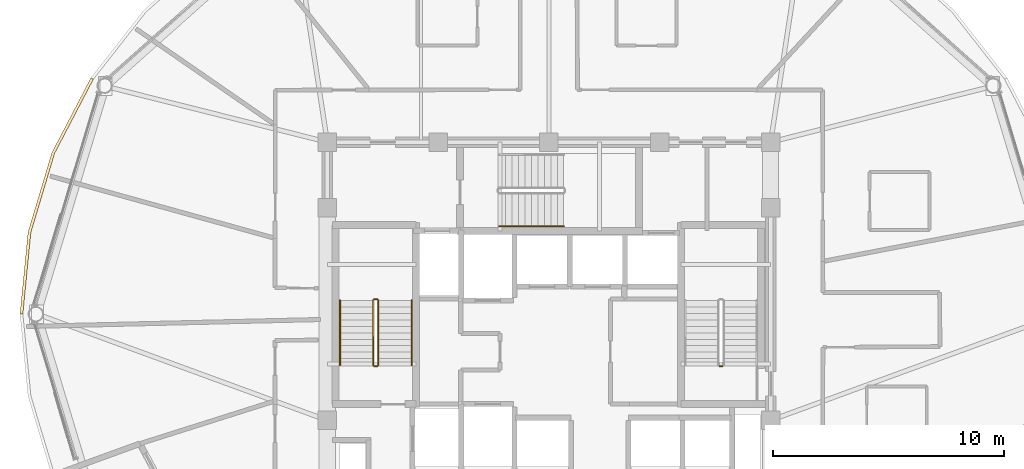
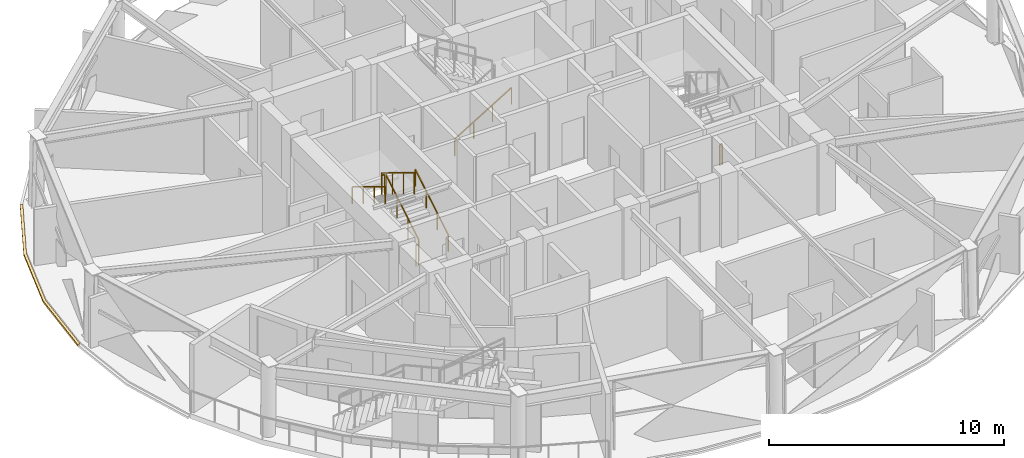
# One storey, part 15 of 17: 8 railings, 1 covering.
"""IFC4 building model written with IfcOpenShell, lengths in metres."""

from ifc_helpers import new_model, si_unit, direction, frame, origin, origin_2d, place, context, subcontext, project, spatial, polyline, rectangle, outline, extrude, material, layer, layer_set, type_object, element, save


model = new_model("IFC4")

# Units and contexts
model_context = context("Model", 3, precision=1e-05, world=origin(), true_north=direction((0.0, 1.0)))
body_context = subcontext(model_context, "Body", "Model", "MODEL_VIEW")
ifc_project = project(units=[si_unit("LENGTHUNIT", "METRE"), si_unit("AREAUNIT", "SQUARE_METRE"), si_unit("VOLUMEUNIT", "CUBIC_METRE"), si_unit("PLANEANGLEUNIT", "RADIAN"), si_unit("MASSUNIT", "GRAM", prefix="KILO")], contexts=[model_context])

# Site, building, storey
site_placement = place(None, origin())
site = spatial("IfcSite", under=ifc_project, at=site_placement, CompositionType="ELEMENT")
building_placement = place(site_placement, origin())
building = spatial("IfcBuilding", under=site, at=building_placement, Name="Vantalir Tower", CompositionType="ELEMENT")
storey_placement = place(building_placement, frame((0.0, 0.0, 208.64990234375)))
storey = spatial("IfcBuildingStorey", under=building, at=storey_placement, Name="L52", CompositionType="ELEMENT", Elevation=208.64990234375)

# Covering
ifc_material_1 = material(Name="Anodised champagne aluminium sill fascia", Category="aluminium")
ifc_layer = layer(ifc_material_1, 0.125)
ifc_layer_set = layer_set([ifc_layer], Name="Anodised champagne aluminium sill fascia")
covering_type = type_object("IfcCoveringType", Name="COV-SLAB-FASCIA-125", PredefinedType="CLADDING", material=ifc_layer_set)
covering_placement = place(storey_placement, frame((0.0, 0.0, -0.179931640625)))
element("IfcCovering", 1, at=covering_placement, inside=storey, type_object=covering_type, Name="L52 Perimeter Slab-Edge Sill Fascia 06", PredefinedType="CLADDING", context=body_context, shape_type="SweptSolid", body=[
    extrude(outline(polyline([(11.659912109375, 35.23388671875), (9.972900390625, 32.0), (8.93896484375, 28.553955078125), (8.591064453125, 25.0), (8.716064453125, 25.0), (9.06201171875, 28.532958984375), (10.090087890625, 31.9580078125), (11.76806640625, 35.1708984375), (11.659912109375, 35.23388671875)])), origin(), (0.0, 0.0, 1.0), 0.10498046875),
])

# Railings
ifc_material_2 = material(Name="Anodised aluminium and stainless steel guard", Category="steel")
railing_type_1 = type_object("IfcRailingType", Name="RAL-GUARD-1120", PredefinedType="GUARDRAIL", material=ifc_material_2)
railing_1_placement = place(storey_placement, frame((24.110107421875, 22.7900390625, 0.170654296875)))
element("IfcRailing", 2, at=railing_1_placement, inside=storey, type_object=railing_type_1, Name="L52 ST1 stair guard 1", PredefinedType="GUARDRAIL", context=body_context, shape_type="SweptSolid", body=[
    extrude(rectangle(XDim=0.048095703125, YDim=0.048095703125, at=origin_2d()), frame((0.0, 0.0, 1.09619140625), z_axis=(0.0, 0.854202870247, 0.519939858505), x_axis=(-1.0, 0.0, 0.0)), (0.0, 0.0, 1.0), 3.278076171875),
    extrude(rectangle(XDim=0.0419921875, YDim=0.0419921875, at=origin_2d()), origin(), (0.0, 0.0, 1.0), 1.072021484375),
    extrude(rectangle(XDim=0.0419921875, YDim=0.0419921875, at=origin_2d()), frame((0.0, 0.933349609375, 0.568115234375)), (0.0, 0.0, 1.0), 1.072021484375),
    extrude(rectangle(XDim=0.0419921875, YDim=0.0419921875, at=origin_2d()), frame((0.0, 1.86669921875, 1.13623046875)), (0.0, 0.0, 1.0), 1.072021484375),
    extrude(rectangle(XDim=0.0419921875, YDim=0.0419921875, at=origin_2d()), frame((0.0, 2.800048828125, 1.704345703125)), (0.0, 0.0, 1.0), 1.072021484375),
])
railing_2_placement = place(storey_placement, frame((24.06005859375, 25.639892578125, 1.875)))
element("IfcRailing", 3, at=railing_2_placement, inside=storey, type_object=railing_type_1, Name="L52 ST1 stair guard 2", PredefinedType="GUARDRAIL", context=body_context, shape_type="SweptSolid", body=[
    extrude(rectangle(XDim=0.048095703125, YDim=0.048095703125, at=origin_2d()), frame((0.0, 0.0, 1.09619140625), z_axis=(-1.0, 0.0, 0.0), x_axis=(0.0, -1.0, 0.0)), (0.0, 0.0, 1.0), 0.1201171875),
    extrude(rectangle(XDim=0.0419921875, YDim=0.0419921875, at=origin_2d()), origin(), (0.0, 0.0, 1.0), 1.072021484375),
    extrude(rectangle(XDim=0.0419921875, YDim=0.0419921875, at=origin_2d()), frame((-0.1201171875, 0.0, 0.0)), (0.0, 0.0, 1.0), 1.072021484375),
])
railing_3_placement = place(storey_placement, frame((23.889892578125, 25.590087890625, 2.045654296875)))
element("IfcRailing", 4, at=railing_3_placement, inside=storey, type_object=railing_type_1, Name="L52 ST1 stair guard 3", PredefinedType="GUARDRAIL", context=body_context, shape_type="SweptSolid", body=[
    extrude(rectangle(XDim=0.048095703125, YDim=0.048095703125, at=origin_2d()), frame((0.0, 0.0, 1.09619140625), z_axis=(0.0, -0.854202870247, 0.519939858505), x_axis=(1.0, 0.0, 0.0)), (0.0, 0.0, 1.0), 3.278076171875),
    extrude(rectangle(XDim=0.0419921875, YDim=0.0419921875, at=origin_2d()), origin(), (0.0, 0.0, 1.0), 1.072021484375),
    extrude(rectangle(XDim=0.0419921875, YDim=0.0419921875, at=origin_2d()), frame((0.0, -0.933349609375, 0.568115234375)), (0.0, 0.0, 1.0), 1.072021484375),
    extrude(rectangle(XDim=0.0419921875, YDim=0.0419921875, at=origin_2d()), frame((0.0, -1.86669921875, 1.13623046875)), (0.0, 0.0, 1.0), 1.072021484375),
    extrude(rectangle(XDim=0.0419921875, YDim=0.0419921875, at=origin_2d()), frame((0.0, -2.800048828125, 1.704345703125)), (0.0, 0.0, 1.0), 1.072021484375),
])
for number, where, name in (
    (5, (24.06005859375, 22.739990234375, 0.0), "L52 ST1 stair guard 4"),
    (6, (39.010009765625, 22.739990234375, 0.0), "L52 ST2 stair guard 4"),
):
    element("IfcRailing", number, at=place(storey_placement, frame(where)), inside=storey, type_object=railing_type_1, Name=name, PredefinedType="GUARDRAIL", context=body_context, shape_type="SweptSolid", body=[
        extrude(rectangle(XDim=0.048095703125, YDim=0.048095703125, at=origin_2d()), frame((0.0, 0.0, 1.09619140625), z_axis=(-1.0, 0.0, 0.0), x_axis=(0.0, -1.0, 0.0)), (0.0, 0.0, 1.0), 0.1201171875),
        extrude(rectangle(XDim=0.0419921875, YDim=0.0419921875, at=origin_2d()), origin(), (0.0, 0.0, 1.0), 1.072021484375),
        extrude(rectangle(XDim=0.0419921875, YDim=0.0419921875, at=origin_2d()), frame((-0.1201171875, 0.0, 0.0)), (0.0, 0.0, 1.0), 1.072021484375),
    ])
ifc_material_3 = material(Name="Brushed stainless steel tubular handrail", Category="steel")
railing_type_2 = type_object("IfcRailingType", Name="RAL-HANDRAIL-900", PredefinedType="HANDRAIL", material=ifc_material_3)
railing_4_placement = place(storey_placement, frame((25.550048828125, 22.7900390625, 0.170654296875)))
element("IfcRailing", 7, at=railing_4_placement, inside=storey, type_object=railing_type_2, Name="L52 ST1 stair handrail 1", PredefinedType="HANDRAIL", context=body_context, shape_type="SweptSolid", body=[
    extrude(rectangle(XDim=0.048095703125, YDim=0.048095703125, at=origin_2d()), frame((0.0, 0.0, 0.8759765625), z_axis=(0.0, 0.854202870247, 0.519939858505), x_axis=(-1.0, 0.0, 0.0)), (0.0, 0.0, 1.0), 3.278076171875),
    extrude(rectangle(XDim=0.0419921875, YDim=0.0419921875, at=origin_2d()), origin(), (0.0, 0.0, 1.0), 0.851806640625),
    extrude(rectangle(XDim=0.0419921875, YDim=0.0419921875, at=origin_2d()), frame((0.0, 0.933349609375, 0.568115234375)), (0.0, 0.0, 1.0), 0.851806640625),
    extrude(rectangle(XDim=0.0419921875, YDim=0.0419921875, at=origin_2d()), frame((0.0, 1.86669921875, 1.13623046875)), (0.0, 0.0, 1.0), 0.851806640625),
    extrude(rectangle(XDim=0.0419921875, YDim=0.0419921875, at=origin_2d()), frame((0.0, 2.800048828125, 1.704345703125)), (0.0, 0.0, 1.0), 0.851806640625),
])
railing_5_placement = place(storey_placement, frame((22.449951171875, 25.590087890625, 2.045654296875)))
element("IfcRailing", 8, at=railing_5_placement, inside=storey, type_object=railing_type_2, Name="L52 ST1 stair handrail 2", PredefinedType="HANDRAIL", context=body_context, shape_type="SweptSolid", body=[
    extrude(rectangle(XDim=0.048095703125, YDim=0.048095703125, at=origin_2d()), frame((0.0, 0.0, 0.8759765625), z_axis=(0.0, -0.854202870247, 0.519939858505), x_axis=(1.0, 0.0, 0.0)), (0.0, 0.0, 1.0), 3.278076171875),
    extrude(rectangle(XDim=0.0419921875, YDim=0.0419921875, at=origin_2d()), origin(), (0.0, 0.0, 1.0), 0.851806640625),
    extrude(rectangle(XDim=0.0419921875, YDim=0.0419921875, at=origin_2d()), frame((0.0, -0.933349609375, 0.568115234375)), (0.0, 0.0, 1.0), 0.851806640625),
    extrude(rectangle(XDim=0.0419921875, YDim=0.0419921875, at=origin_2d()), frame((0.0, -1.86669921875, 1.13623046875)), (0.0, 0.0, 1.0), 0.851806640625),
    extrude(rectangle(XDim=0.0419921875, YDim=0.0419921875, at=origin_2d()), frame((0.0, -2.800048828125, 1.704345703125)), (0.0, 0.0, 1.0), 0.851806640625),
])
railing_6_placement = place(storey_placement, frame((29.340087890625, 28.800048828125, 0.170654296875)))
element("IfcRailing", 9, at=railing_6_placement, inside=storey, type_object=railing_type_2, Name="L52 ST3 stair handrail 1", PredefinedType="HANDRAIL", context=body_context, shape_type="SweptSolid", body=[
    extrude(rectangle(XDim=0.048095703125, YDim=0.048095703125, at=origin_2d()), frame((0.0, 0.0, 0.8759765625), z_axis=(0.854182733786, 0.0, 0.519972939009), x_axis=(0.0, 1.0, 0.0)), (0.0, 0.0, 1.0), 3.27783203125),
    extrude(rectangle(XDim=0.0419921875, YDim=0.0419921875, at=origin_2d()), origin(), (0.0, 0.0, 1.0), 0.851806640625),
    extrude(rectangle(XDim=0.0419921875, YDim=0.0419921875, at=origin_2d()), frame((0.933349609375, 0.0, 0.568115234375)), (0.0, 0.0, 1.0), 0.851806640625),
    extrude(rectangle(XDim=0.0419921875, YDim=0.0419921875, at=origin_2d()), frame((1.866455078125, 0.0, 1.13623046875)), (0.0, 0.0, 1.0), 0.851806640625),
    extrude(rectangle(XDim=0.0419921875, YDim=0.0419921875, at=origin_2d()), frame((2.7998046875, 0.0, 1.704345703125)), (0.0, 0.0, 1.0), 0.851806640625),
])

save(model, "model.ifc")
